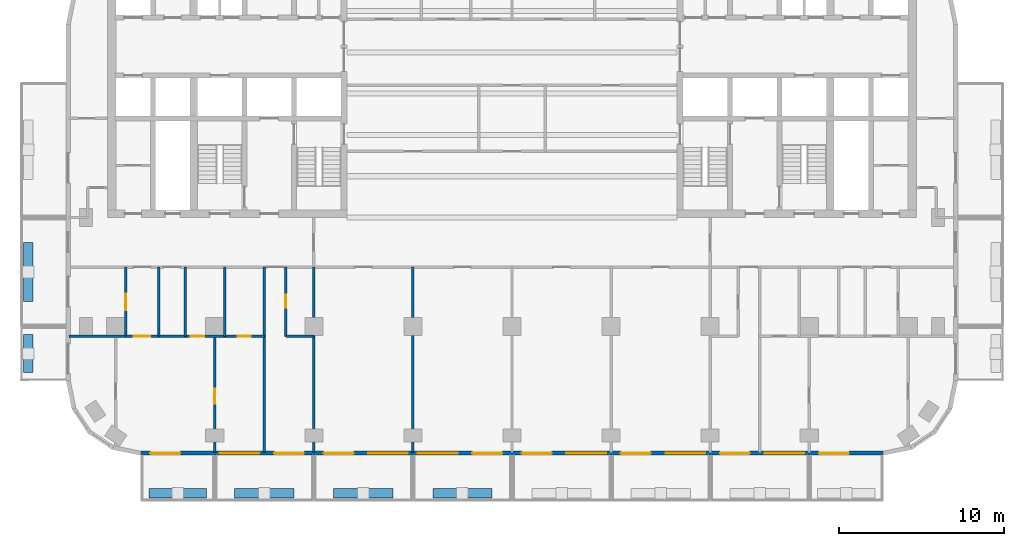
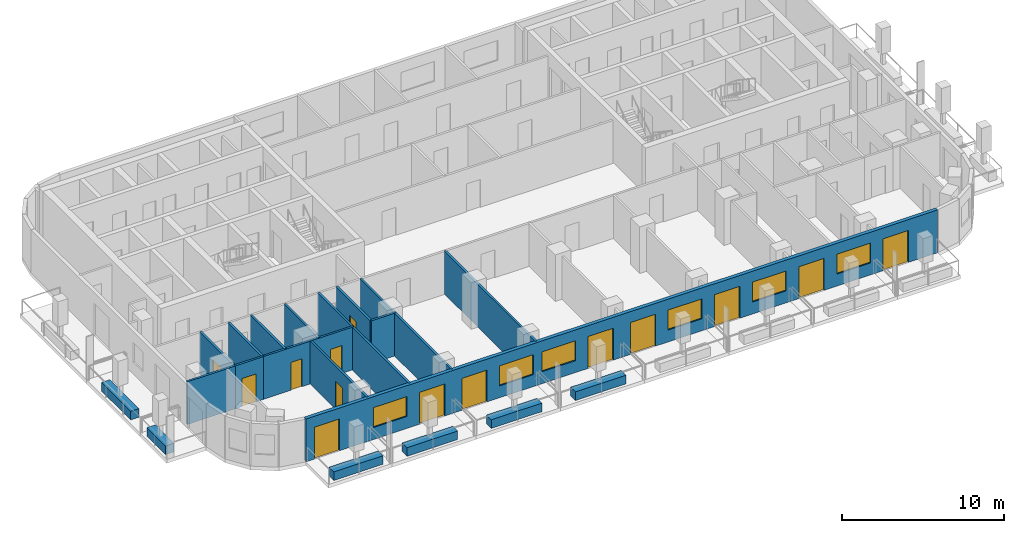
# One storey, part 2 of 12: 20 walls, 14 doors, 6 windows, 20 openings.
"""IFC4 building model written with IfcOpenShell, lengths in metres."""

from ifc_helpers import new_model, si_unit, direction, frame, frame_2d, origin, place, context, subcontext, project, spatial, rectangle, extrude, material, layer, layer_set, type_object, element, fill, save


model = new_model("IFC4")

# Units and contexts
model_context = context("Model", 3, precision=1e-05, world=origin(), true_north=direction((0.0, 1.0)))
body_context = subcontext(model_context, "Body", "Model", "MODEL_VIEW")
ifc_project = project(units=[si_unit("LENGTHUNIT", "METRE"), si_unit("AREAUNIT", "SQUARE_METRE"), si_unit("VOLUMEUNIT", "CUBIC_METRE"), si_unit("PLANEANGLEUNIT", "RADIAN"), si_unit("MASSUNIT", "GRAM", prefix="KILO")], contexts=[model_context])

# Site, building, storey
site_placement = place(None, origin())
site = spatial("IfcSite", under=ifc_project, at=site_placement, CompositionType="ELEMENT")
building_placement = place(site_placement, origin())
building = spatial("IfcBuilding", under=site, at=building_placement, Name="Torana Hotel and Residences", CompositionType="ELEMENT")
storey_placement = place(building_placement, frame((0.0, 0.0, 201.10009765625)))
storey = spatial("IfcBuildingStorey", under=building, at=storey_placement, Name="L52", CompositionType="ELEMENT", Elevation=201.10009765625)

# Wall, openings, doors, windows
ifc_material_1 = material(Name="Black aluminium composite panel", Category="aluminium")
ifc_layer_1 = layer(ifc_material_1, 0.00390625, Name="Cladding", Category="cladding")
ifc_material_2 = material(Name="Ventilated air cavity")
ifc_layer_2 = layer(ifc_material_2, 0.0400390625, Name="Ventilated cavity", Category="cavity")
ifc_material_3 = material(Name="Mineral wool insulation")
ifc_layer_3 = layer(ifc_material_3, 0.090087890625, Name="Insulation", Category="insulation")
ifc_material_4 = material(Name="Steel S280GD", Category="steel")
ifc_layer_4 = layer(ifc_material_4, 0.092041015625, Name="Steel stud frame", Category="structure")
ifc_material_5 = material(Name="Fire rated plasterboard")
ifc_layer_5 = layer(ifc_material_5, 0.011962890625, Name="Inner board", Category="finish")
ifc_layer_6 = layer(ifc_material_5, 0.011962890625, Name="Second board", Category="finish")
ifc_layer_set_1 = layer_set([ifc_layer_1, ifc_layer_2, ifc_layer_3, ifc_layer_4, ifc_layer_5, ifc_layer_6], Name="EW1 EXTERNAL WALL BLACK METAL CLAD 250")
wall_type_1 = type_object("IfcWallType", Name="EW1 EXTERNAL WALL BLACK METAL CLAD 250", PredefinedType="SOLIDWALL", material=ifc_layer_set_1)
wall_1_placement = place(storey_placement, frame((-22.475341796875, -29.27490234375, 0.0), z_axis=(0.0, 0.0, 1.0), x_axis=(1.0, 0.0, 0.0)))
wall_1 = element("IfcWall", 1, at=wall_1_placement, inside=storey, type_object=wall_type_1, Name="External wall L52 e0.14", PredefinedType="SOLIDWALL", context=body_context, shape_type="SweptSolid", body=[
    extrude(rectangle(XDim=44.95068359375, YDim=0.25, at=frame_2d((22.475341796875, 0.0))), origin(), (0.0, 0.0, 1.0), 3.219970703125),
])
opening_1_placement = place(wall_1_placement, frame((0.575439453125, 0.0, 0.0)))
opening_1 = element("IfcOpeningElement", 2, at=opening_1_placement, cuts=wall_1, Name="Opening L52-E01", PredefinedType="OPENING", context=body_context, shape_type="SweptSolid", body=[
    extrude(rectangle(XDim=1.800048828125, YDim=2.39990234375, at=frame_2d((0.89990234375, 1.199951171875))), frame((0.0, 0.135009765625, 0.0), z_axis=(0.0, -1.0, 0.0), x_axis=(1.0, 0.0, 0.0)), (0.0, 0.0, 1.0), 0.27001953125),
])
opening_2_placement = place(wall_1_placement, frame((4.775390625, 0.0, 0.89990234375)))
opening_2 = element("IfcOpeningElement", 3, at=opening_2_placement, cuts=wall_1, Name="Opening W3", PredefinedType="OPENING", context=body_context, shape_type="SweptSolid", body=[
    extrude(rectangle(XDim=2.39990234375, YDim=1.5, at=frame_2d((1.199951171875, 0.75))), frame((0.0, 0.135009765625, 0.0), z_axis=(0.0, -1.0, 0.0), x_axis=(1.0, 0.0, 0.0)), (0.0, 0.0, 1.0), 0.27001953125),
])
opening_3_placement = place(wall_1_placement, frame((8.075439453125, 0.0, 0.0)))
opening_3 = element("IfcOpeningElement", 4, at=opening_3_placement, cuts=wall_1, Name="Opening L52-E02", PredefinedType="OPENING", context=body_context, shape_type="SweptSolid", body=[
    extrude(rectangle(XDim=1.800048828125, YDim=2.39990234375, at=frame_2d((0.89990234375, 1.199951171875))), frame((0.0, 0.135009765625, 0.0), z_axis=(0.0, -1.0, 0.0), x_axis=(1.0, 0.0, 0.0)), (0.0, 0.0, 1.0), 0.27001953125),
])
opening_4_placement = place(wall_1_placement, frame((11.075439453125, 0.0, 0.0)))
opening_4 = element("IfcOpeningElement", 5, at=opening_4_placement, cuts=wall_1, Name="Opening L52-E03", PredefinedType="OPENING", context=body_context, shape_type="SweptSolid", body=[
    extrude(rectangle(XDim=1.800048828125, YDim=2.39990234375, at=frame_2d((0.89990234375, 1.199951171875))), frame((0.0, 0.135009765625, 0.0), z_axis=(0.0, -1.0, 0.0), x_axis=(1.0, 0.0, 0.0)), (0.0, 0.0, 1.0), 0.27001953125),
])
opening_5_placement = place(wall_1_placement, frame((13.775390625, 0.0, 0.89990234375)))
opening_5 = element("IfcOpeningElement", 6, at=opening_5_placement, cuts=wall_1, Name="Opening W3", PredefinedType="OPENING", context=body_context, shape_type="SweptSolid", body=[
    extrude(rectangle(XDim=2.39990234375, YDim=1.5, at=frame_2d((1.199951171875, 0.75))), frame((0.0, 0.135009765625, 0.0), z_axis=(0.0, -1.0, 0.0), x_axis=(1.0, 0.0, 0.0)), (0.0, 0.0, 1.0), 0.27001953125),
])
opening_6_placement = place(wall_1_placement, frame((16.775390625, 0.0, 0.89990234375)))
opening_6 = element("IfcOpeningElement", 7, at=opening_6_placement, cuts=wall_1, Name="Opening W3", PredefinedType="OPENING", context=body_context, shape_type="SweptSolid", body=[
    extrude(rectangle(XDim=2.39990234375, YDim=1.5, at=frame_2d((1.199951171875, 0.75))), frame((0.0, 0.135009765625, 0.0), z_axis=(0.0, -1.0, 0.0), x_axis=(1.0, 0.0, 0.0)), (0.0, 0.0, 1.0), 0.27001953125),
])
opening_7_placement = place(wall_1_placement, frame((20.075439453125, 0.0, 0.0)))
opening_7 = element("IfcOpeningElement", 8, at=opening_7_placement, cuts=wall_1, Name="Opening L52-E04", PredefinedType="OPENING", context=body_context, shape_type="SweptSolid", body=[
    extrude(rectangle(XDim=1.800048828125, YDim=2.39990234375, at=frame_2d((0.89990234375, 1.199951171875))), frame((0.0, 0.135009765625, 0.0), z_axis=(0.0, -1.0, 0.0), x_axis=(1.0, 0.0, 0.0)), (0.0, 0.0, 1.0), 0.27001953125),
])
opening_8_placement = place(wall_1_placement, frame((23.075439453125, 0.0, 0.0)))
opening_8 = element("IfcOpeningElement", 9, at=opening_8_placement, cuts=wall_1, Name="Opening L52-E05", PredefinedType="OPENING", context=body_context, shape_type="SweptSolid", body=[
    extrude(rectangle(XDim=1.800048828125, YDim=2.39990234375, at=frame_2d((0.89990234375, 1.199951171875))), frame((0.0, 0.135009765625, 0.0), z_axis=(0.0, -1.0, 0.0), x_axis=(1.0, 0.0, 0.0)), (0.0, 0.0, 1.0), 0.27001953125),
])
opening_9_placement = place(wall_1_placement, frame((25.775390625, 0.0, 0.89990234375)))
opening_9 = element("IfcOpeningElement", 10, at=opening_9_placement, cuts=wall_1, Name="Opening W3", PredefinedType="OPENING", context=body_context, shape_type="SweptSolid", body=[
    extrude(rectangle(XDim=2.39990234375, YDim=1.5, at=frame_2d((1.199951171875, 0.75))), frame((0.0, 0.135009765625, 0.0), z_axis=(0.0, -1.0, 0.0), x_axis=(1.0, 0.0, 0.0)), (0.0, 0.0, 1.0), 0.27001953125),
])
opening_10_placement = place(wall_1_placement, frame((29.075439453125, 0.0, 0.0)))
opening_10 = element("IfcOpeningElement", 11, at=opening_10_placement, cuts=wall_1, Name="Opening L52-E06", PredefinedType="OPENING", context=body_context, shape_type="SweptSolid", body=[
    extrude(rectangle(XDim=1.800048828125, YDim=2.39990234375, at=frame_2d((0.89990234375, 1.199951171875))), frame((0.0, 0.135009765625, 0.0), z_axis=(0.0, -1.0, 0.0), x_axis=(1.0, 0.0, 0.0)), (0.0, 0.0, 1.0), 0.27001953125),
])
opening_11_placement = place(wall_1_placement, frame((31.775390625, 0.0, 0.89990234375)))
opening_11 = element("IfcOpeningElement", 12, at=opening_11_placement, cuts=wall_1, Name="Opening W3", PredefinedType="OPENING", context=body_context, shape_type="SweptSolid", body=[
    extrude(rectangle(XDim=2.39990234375, YDim=1.5, at=frame_2d((1.199951171875, 0.75))), frame((0.0, 0.135009765625, 0.0), z_axis=(0.0, -1.0, 0.0), x_axis=(1.0, 0.0, 0.0)), (0.0, 0.0, 1.0), 0.27001953125),
])
opening_12_placement = place(wall_1_placement, frame((35.075439453125, 0.0, 0.0)))
opening_12 = element("IfcOpeningElement", 13, at=opening_12_placement, cuts=wall_1, Name="Opening L52-E07", PredefinedType="OPENING", context=body_context, shape_type="SweptSolid", body=[
    extrude(rectangle(XDim=1.800048828125, YDim=2.39990234375, at=frame_2d((0.89990234375, 1.199951171875))), frame((0.0, 0.135009765625, 0.0), z_axis=(0.0, -1.0, 0.0), x_axis=(1.0, 0.0, 0.0)), (0.0, 0.0, 1.0), 0.27001953125),
])
opening_13_placement = place(wall_1_placement, frame((37.775390625, 0.0, 0.89990234375)))
opening_13 = element("IfcOpeningElement", 14, at=opening_13_placement, cuts=wall_1, Name="Opening W3", PredefinedType="OPENING", context=body_context, shape_type="SweptSolid", body=[
    extrude(rectangle(XDim=2.39990234375, YDim=1.5, at=frame_2d((1.199951171875, 0.75))), frame((0.0, 0.135009765625, 0.0), z_axis=(0.0, -1.0, 0.0), x_axis=(1.0, 0.0, 0.0)), (0.0, 0.0, 1.0), 0.27001953125),
])
opening_14_placement = place(wall_1_placement, frame((41.075439453125, 0.0, 0.0)))
opening_14 = element("IfcOpeningElement", 15, at=opening_14_placement, cuts=wall_1, Name="Opening L52-E08", PredefinedType="OPENING", context=body_context, shape_type="SweptSolid", body=[
    extrude(rectangle(XDim=1.800048828125, YDim=2.39990234375, at=frame_2d((0.89990234375, 1.199951171875))), frame((0.0, 0.135009765625, 0.0), z_axis=(0.0, -1.0, 0.0), x_axis=(1.0, 0.0, 0.0)), (0.0, 0.0, 1.0), 0.27001953125),
])
ifc_material_6 = material(Name="Dark glass in black aluminium frame", Category="aluminium")
door_type_1 = type_object("IfcDoorType", Name="DB1 BALCONY DOOR 1800x2400", OperationType="DOUBLE_DOOR_SINGLE_SWING", PredefinedType="DOOR", material=ifc_material_6)
door_1_placement = place(opening_1_placement, origin())
door_1 = element("IfcDoor", 16, at=door_1_placement, inside=storey, type_object=door_type_1, Name="Balcony door L52", OperationType="DOUBLE_DOOR_SINGLE_SWING", OverallHeight=2.39990234375, OverallWidth=1.800048828125, PredefinedType="DOOR", context=body_context, shape_type="SweptSolid", body=[
    extrude(rectangle(XDim=1.800048828125, YDim=2.39990234375, at=frame_2d((0.89990234375, 1.199951171875))), frame((0.0, 0.02490234375, 0.0), z_axis=(0.0, -1.0, 0.0), x_axis=(1.0, 0.0, 0.0)), (0.0, 0.0, 1.0), 0.050048828125),
])
fill(opening_1, door_1)
door_2_placement = place(opening_3_placement, origin())
door_2 = element("IfcDoor", 17, at=door_2_placement, inside=storey, type_object=door_type_1, Name="Balcony door L52", OperationType="DOUBLE_DOOR_SINGLE_SWING", OverallHeight=2.39990234375, OverallWidth=1.800048828125, PredefinedType="DOOR", context=body_context, shape_type="SweptSolid", body=[
    extrude(rectangle(XDim=1.800048828125, YDim=2.39990234375, at=frame_2d((0.89990234375, 1.199951171875))), frame((0.0, 0.02490234375, 0.0), z_axis=(0.0, -1.0, 0.0), x_axis=(1.0, 0.0, 0.0)), (0.0, 0.0, 1.0), 0.050048828125),
])
fill(opening_3, door_2)
door_3_placement = place(opening_4_placement, origin())
door_3 = element("IfcDoor", 18, at=door_3_placement, inside=storey, type_object=door_type_1, Name="Balcony door L52", OperationType="DOUBLE_DOOR_SINGLE_SWING", OverallHeight=2.39990234375, OverallWidth=1.800048828125, PredefinedType="DOOR", context=body_context, shape_type="SweptSolid", body=[
    extrude(rectangle(XDim=1.800048828125, YDim=2.39990234375, at=frame_2d((0.89990234375, 1.199951171875))), frame((0.0, 0.02490234375, 0.0), z_axis=(0.0, -1.0, 0.0), x_axis=(1.0, 0.0, 0.0)), (0.0, 0.0, 1.0), 0.050048828125),
])
fill(opening_4, door_3)
door_4_placement = place(opening_7_placement, origin())
door_4 = element("IfcDoor", 19, at=door_4_placement, inside=storey, type_object=door_type_1, Name="Balcony door L52", OperationType="DOUBLE_DOOR_SINGLE_SWING", OverallHeight=2.39990234375, OverallWidth=1.800048828125, PredefinedType="DOOR", context=body_context, shape_type="SweptSolid", body=[
    extrude(rectangle(XDim=1.800048828125, YDim=2.39990234375, at=frame_2d((0.89990234375, 1.199951171875))), frame((0.0, 0.02490234375, 0.0), z_axis=(0.0, -1.0, 0.0), x_axis=(1.0, 0.0, 0.0)), (0.0, 0.0, 1.0), 0.050048828125),
])
fill(opening_7, door_4)
door_5_placement = place(opening_8_placement, origin())
door_5 = element("IfcDoor", 20, at=door_5_placement, inside=storey, type_object=door_type_1, Name="Balcony door L52", OperationType="DOUBLE_DOOR_SINGLE_SWING", OverallHeight=2.39990234375, OverallWidth=1.800048828125, PredefinedType="DOOR", context=body_context, shape_type="SweptSolid", body=[
    extrude(rectangle(XDim=1.800048828125, YDim=2.39990234375, at=frame_2d((0.89990234375, 1.199951171875))), frame((0.0, 0.02490234375, 0.0), z_axis=(0.0, -1.0, 0.0), x_axis=(1.0, 0.0, 0.0)), (0.0, 0.0, 1.0), 0.050048828125),
])
fill(opening_8, door_5)
door_6_placement = place(opening_10_placement, origin())
door_6 = element("IfcDoor", 21, at=door_6_placement, inside=storey, type_object=door_type_1, Name="Balcony door L52", OperationType="DOUBLE_DOOR_SINGLE_SWING", OverallHeight=2.39990234375, OverallWidth=1.800048828125, PredefinedType="DOOR", context=body_context, shape_type="SweptSolid", body=[
    extrude(rectangle(XDim=1.800048828125, YDim=2.39990234375, at=frame_2d((0.89990234375, 1.199951171875))), frame((0.0, 0.02490234375, 0.0), z_axis=(0.0, -1.0, 0.0), x_axis=(1.0, 0.0, 0.0)), (0.0, 0.0, 1.0), 0.050048828125),
])
fill(opening_10, door_6)
door_7_placement = place(opening_12_placement, origin())
door_7 = element("IfcDoor", 22, at=door_7_placement, inside=storey, type_object=door_type_1, Name="Balcony door L52", OperationType="DOUBLE_DOOR_SINGLE_SWING", OverallHeight=2.39990234375, OverallWidth=1.800048828125, PredefinedType="DOOR", context=body_context, shape_type="SweptSolid", body=[
    extrude(rectangle(XDim=1.800048828125, YDim=2.39990234375, at=frame_2d((0.89990234375, 1.199951171875))), frame((0.0, 0.02490234375, 0.0), z_axis=(0.0, -1.0, 0.0), x_axis=(1.0, 0.0, 0.0)), (0.0, 0.0, 1.0), 0.050048828125),
])
fill(opening_12, door_7)
door_8_placement = place(opening_14_placement, origin())
door_8 = element("IfcDoor", 23, at=door_8_placement, inside=storey, type_object=door_type_1, Name="Balcony door L52", OperationType="DOUBLE_DOOR_SINGLE_SWING", OverallHeight=2.39990234375, OverallWidth=1.800048828125, PredefinedType="DOOR", context=body_context, shape_type="SweptSolid", body=[
    extrude(rectangle(XDim=1.800048828125, YDim=2.39990234375, at=frame_2d((0.89990234375, 1.199951171875))), frame((0.0, 0.02490234375, 0.0), z_axis=(0.0, -1.0, 0.0), x_axis=(1.0, 0.0, 0.0)), (0.0, 0.0, 1.0), 0.050048828125),
])
fill(opening_14, door_8)
ifc_material_7 = material(Name="Dark glass in black aluminium frame", Category="aluminium")
window_type = type_object("IfcWindowType", Name="W3 RESIDENCE WINDOW 2400x1500", PartitioningType="SINGLE_PANEL", PredefinedType="WINDOW", material=ifc_material_7)
window_1_placement = place(opening_2_placement, origin())
window_1 = element("IfcWindow", 24, at=window_1_placement, inside=storey, type_object=window_type, Name="Window L52", OverallHeight=1.5, OverallWidth=2.39990234375, PartitioningType="SINGLE_PANEL", PredefinedType="WINDOW", context=body_context, shape_type="SweptSolid", body=[
    extrude(rectangle(XDim=2.39990234375, YDim=1.5, at=frame_2d((1.199951171875, 0.75))), frame((0.0, 0.030029296875, 0.0), z_axis=(0.0, -1.0, 0.0), x_axis=(1.0, 0.0, 0.0)), (0.0, 0.0, 1.0), 0.06005859375),
])
fill(opening_2, window_1)
window_2_placement = place(opening_5_placement, origin())
window_2 = element("IfcWindow", 25, at=window_2_placement, inside=storey, type_object=window_type, Name="Window L52", OverallHeight=1.5, OverallWidth=2.39990234375, PartitioningType="SINGLE_PANEL", PredefinedType="WINDOW", context=body_context, shape_type="SweptSolid", body=[
    extrude(rectangle(XDim=2.39990234375, YDim=1.5, at=frame_2d((1.199951171875, 0.75))), frame((0.0, 0.030029296875, 0.0), z_axis=(0.0, -1.0, 0.0), x_axis=(1.0, 0.0, 0.0)), (0.0, 0.0, 1.0), 0.06005859375),
])
fill(opening_5, window_2)
window_3_placement = place(opening_6_placement, origin())
window_3 = element("IfcWindow", 26, at=window_3_placement, inside=storey, type_object=window_type, Name="Window L52", OverallHeight=1.5, OverallWidth=2.39990234375, PartitioningType="SINGLE_PANEL", PredefinedType="WINDOW", context=body_context, shape_type="SweptSolid", body=[
    extrude(rectangle(XDim=2.39990234375, YDim=1.5, at=frame_2d((1.199951171875, 0.75))), frame((0.0, 0.030029296875, 0.0), z_axis=(0.0, -1.0, 0.0), x_axis=(1.0, 0.0, 0.0)), (0.0, 0.0, 1.0), 0.06005859375),
])
fill(opening_6, window_3)
window_4_placement = place(opening_9_placement, origin())
window_4 = element("IfcWindow", 27, at=window_4_placement, inside=storey, type_object=window_type, Name="Window L52", OverallHeight=1.5, OverallWidth=2.39990234375, PartitioningType="SINGLE_PANEL", PredefinedType="WINDOW", context=body_context, shape_type="SweptSolid", body=[
    extrude(rectangle(XDim=2.39990234375, YDim=1.5, at=frame_2d((1.199951171875, 0.75))), frame((0.0, 0.030029296875, 0.0), z_axis=(0.0, -1.0, 0.0), x_axis=(1.0, 0.0, 0.0)), (0.0, 0.0, 1.0), 0.06005859375),
])
fill(opening_9, window_4)
window_5_placement = place(opening_11_placement, origin())
window_5 = element("IfcWindow", 28, at=window_5_placement, inside=storey, type_object=window_type, Name="Window L52", OverallHeight=1.5, OverallWidth=2.39990234375, PartitioningType="SINGLE_PANEL", PredefinedType="WINDOW", context=body_context, shape_type="SweptSolid", body=[
    extrude(rectangle(XDim=2.39990234375, YDim=1.5, at=frame_2d((1.199951171875, 0.75))), frame((0.0, 0.030029296875, 0.0), z_axis=(0.0, -1.0, 0.0), x_axis=(1.0, 0.0, 0.0)), (0.0, 0.0, 1.0), 0.06005859375),
])
fill(opening_11, window_5)
window_6_placement = place(opening_13_placement, origin())
window_6 = element("IfcWindow", 29, at=window_6_placement, inside=storey, type_object=window_type, Name="Window L52", OverallHeight=1.5, OverallWidth=2.39990234375, PartitioningType="SINGLE_PANEL", PredefinedType="WINDOW", context=body_context, shape_type="SweptSolid", body=[
    extrude(rectangle(XDim=2.39990234375, YDim=1.5, at=frame_2d((1.199951171875, 0.75))), frame((0.0, 0.030029296875, 0.0), z_axis=(0.0, -1.0, 0.0), x_axis=(1.0, 0.0, 0.0)), (0.0, 0.0, 1.0), 0.06005859375),
])
fill(opening_13, window_6)

# Wall
ifc_material_8 = material(Name="Gypsum plaster")
ifc_layer_7 = layer(ifc_material_8, 0.014892578125, Name="Plaster", Category="finish")
ifc_material_9 = material(Name="Concrete blockwork", Category="masonry")
ifc_layer_8 = layer(ifc_material_9, 0.1201171875, Name="Blockwork", Category="structure")
ifc_layer_9 = layer(ifc_material_8, 0.014892578125, Name="Plaster", Category="finish")
ifc_layer_set_2 = layer_set([ifc_layer_7, ifc_layer_8, ifc_layer_9], Name="FIRE PARTITION 150 BLOCKWORK")
wall_type_2 = type_object("IfcWallType", Name="FIRE PARTITION 150 BLOCKWORK", PredefinedType="PARTITIONING", material=ifc_layer_set_2)
wall_2_placement = place(storey_placement, frame((-21.39990234375, -22.199951171875, 0.0), z_axis=(0.0, 0.0, 1.0), x_axis=(0.0, 1.0, 0.0)))
element("IfcWall", 30, at=wall_2_placement, inside=storey, type_object=wall_type_2, Name="Partition L52", PredefinedType="PARTITIONING", context=body_context, shape_type="SweptSolid", body=[
    extrude(rectangle(XDim=4.199951171875, YDim=0.14990234375, at=frame_2d((2.10009765625, 0.0))), origin(), (0.0, 0.0, 1.0), 3.219970703125),
])

# Wall, opening, door
wall_3_placement = place(storey_placement, frame((-23.39990234375, -22.199951171875, 0.0), z_axis=(0.0, 0.0, 1.0), x_axis=(0.0, 1.0, 0.0)))
wall_3 = element("IfcWall", 31, at=wall_3_placement, inside=storey, type_object=wall_type_2, Name="Partition L52", PredefinedType="PARTITIONING", context=body_context, shape_type="SweptSolid", body=[
    extrude(rectangle(XDim=4.199951171875, YDim=0.14990234375, at=frame_2d((2.10009765625, 0.0))), origin(), (0.0, 0.0, 1.0), 3.219970703125),
])
opening_15_placement = place(wall_3_placement, frame((1.580078125, 0.0, 0.0)))
opening_15 = element("IfcOpeningElement", 32, at=opening_15_placement, cuts=wall_3, Name="Opening L52-60", PredefinedType="OPENING", context=body_context, shape_type="SweptSolid", body=[
    extrude(rectangle(XDim=1.0, YDim=2.10009765625, at=frame_2d((0.5, 1.050048828125))), frame((0.0, 0.0849609375, 0.0), z_axis=(0.0, -1.0, 0.0), x_axis=(1.0, 0.0, 0.0)), (0.0, 0.0, 1.0), 0.169921875),
])
ifc_material_10 = material(Name="Steel S235", Category="steel")
door_type_2 = type_object("IfcDoorType", Name="ENTRY FIRE DOOR D6 1000x2100", OperationType="SINGLE_SWING_LEFT", PredefinedType="DOOR", material=ifc_material_10)
door_9_placement = place(opening_15_placement, origin())
door_9 = element("IfcDoor", 33, at=door_9_placement, inside=storey, type_object=door_type_2, Name="Door L52", OperationType="SINGLE_SWING_RIGHT", OverallHeight=2.10009765625, OverallWidth=1.0, PredefinedType="DOOR", context=body_context, shape_type="SweptSolid", body=[
    extrude(rectangle(XDim=1.0, YDim=2.10009765625, at=frame_2d((0.5, 1.050048828125))), frame((0.0, 0.02490234375, 0.0), z_axis=(0.0, -1.0, 0.0), x_axis=(1.0, 0.0, 0.0)), (0.0, 0.0, 1.0), 0.050048828125),
])
fill(opening_15, door_9)

wall_4_placement = place(storey_placement, frame((-23.39990234375, -22.199951171875, 0.0), z_axis=(0.0, 0.0, 1.0), x_axis=(1.0, 0.0, 0.0)))
wall_4 = element("IfcWall", 34, at=wall_4_placement, inside=storey, type_object=wall_type_2, Name="Partition L52", PredefinedType="PARTITIONING", context=body_context, shape_type="SweptSolid", body=[
    extrude(rectangle(XDim=2.0, YDim=0.14990234375, at=frame_2d((1.0, 0.0))), origin(), (0.0, 0.0, 1.0), 3.219970703125),
])
opening_16_placement = place(wall_4_placement, frame((0.47998046875, 0.0, 0.0)))
opening_16 = element("IfcOpeningElement", 35, at=opening_16_placement, cuts=wall_4, Name="Opening L52-61", PredefinedType="OPENING", context=body_context, shape_type="SweptSolid", body=[
    extrude(rectangle(XDim=1.0, YDim=2.10009765625, at=frame_2d((0.5, 1.050048828125))), frame((0.0, 0.0849609375, 0.0), z_axis=(0.0, -1.0, 0.0), x_axis=(1.0, 0.0, 0.0)), (0.0, 0.0, 1.0), 0.169921875),
])
door_10_placement = place(opening_16_placement, frame((0.5, 0.0, 0.0), z_axis=(0.0, 0.0, 1.0), x_axis=(-1.0, 0.0, 0.0)))
door_10 = element("IfcDoor", 36, at=door_10_placement, inside=storey, type_object=door_type_2, Name="Door L52", OperationType="SINGLE_SWING_LEFT", OverallHeight=2.10009765625, OverallWidth=1.0, PredefinedType="DOOR", context=body_context, shape_type="SweptSolid", body=[
    extrude(rectangle(XDim=1.0, YDim=2.10009765625, at=frame_2d((0.0, 1.050048828125))), frame((0.0, -0.02490234375, 0.0), z_axis=(0.0, 1.0, 0.0), x_axis=(-1.0, 0.0, 0.0)), (0.0, 0.0, 1.0), 0.050048828125),
])
fill(opening_16, door_10)

# Walls
ifc_material_11 = material(Name="Gypsum plasterboard")
ifc_layer_10 = layer(ifc_material_11, 0.012451171875, Name="Plasterboard", Category="finish")
ifc_layer_11 = layer(ifc_material_11, 0.012451171875, Name="Plasterboard", Category="finish")
ifc_layer_12 = layer(ifc_material_4, 0.10009765625, Name="Steel studs with mineral wool", Category="insulation")
ifc_layer_13 = layer(ifc_material_11, 0.012451171875, Name="Plasterboard", Category="finish")
ifc_layer_14 = layer(ifc_material_11, 0.012451171875, Name="Plasterboard", Category="finish")
ifc_layer_set_3 = layer_set([ifc_layer_10, ifc_layer_11, ifc_layer_12, ifc_layer_13, ifc_layer_14], Name="PARTITION 150 PLASTERBOARD")
wall_type_3 = type_object("IfcWallType", Name="PARTITION 150 PLASTERBOARD", PredefinedType="PARTITIONING", material=ifc_layer_set_3)
for number, where, z_axis, x_axis, name in (
    (37, (-6.0, -29.219970703125, 0.0), (0.0, 0.0, 1.0), (0.0, 1.0, 0.0), "Partition L52"),
    (38, (-12.0, -29.219970703125, 0.0), (0.0, 0.0, 1.0), (0.0, 1.0, 0.0), "Partition L52"),
):
    element("IfcWall", number, at=place(storey_placement, frame(where, z_axis=z_axis, x_axis=x_axis)), inside=storey, type_object=wall_type_3, Name=name, PredefinedType="PARTITIONING", context=body_context, shape_type="SweptSolid", body=[
        extrude(rectangle(XDim=11.219970703125, YDim=0.14990234375, at=frame_2d((5.60986328125, 0.0))), origin(), (0.0, 0.0, 1.0), 3.219970703125),
    ])

# Wall, opening, door
wall_5_placement = place(storey_placement, frame((-13.699951171875, -22.199951171875, 0.0), z_axis=(0.0, 0.0, 1.0), x_axis=(0.0, 1.0, 0.0)))
wall_5 = element("IfcWall", 39, at=wall_5_placement, inside=storey, type_object=wall_type_3, Name="Partition L52", PredefinedType="PARTITIONING", context=body_context, shape_type="SweptSolid", body=[
    extrude(rectangle(XDim=4.199951171875, YDim=0.14990234375, at=frame_2d((2.10009765625, 0.0))), origin(), (0.0, 0.0, 1.0), 3.219970703125),
])
opening_17_placement = place(wall_5_placement, frame((1.719970703125, 0.0, 0.0)))
opening_17 = element("IfcOpeningElement", 40, at=opening_17_placement, cuts=wall_5, Name="Opening L52-56", PredefinedType="OPENING", context=body_context, shape_type="SweptSolid", body=[
    extrude(rectangle(XDim=0.800048828125, YDim=2.10009765625, at=frame_2d((0.39990234375, 1.050048828125))), frame((0.0, 0.0849609375, 0.0), z_axis=(0.0, -1.0, 0.0), x_axis=(1.0, 0.0, 0.0)), (0.0, 0.0, 1.0), 0.169921875),
])
ifc_material_12 = material(Name="Timber door, painted", Category="wood")
door_type_3 = type_object("IfcDoorType", Name="BATH DOOR D13 800x2100", OperationType="SINGLE_SWING_LEFT", PredefinedType="DOOR", material=ifc_material_12)
door_11_placement = place(opening_17_placement, origin())
door_11 = element("IfcDoor", 41, at=door_11_placement, inside=storey, type_object=door_type_3, Name="Door L52", OperationType="SINGLE_SWING_RIGHT", OverallHeight=2.10009765625, OverallWidth=0.800048828125, PredefinedType="DOOR", context=body_context, shape_type="SweptSolid", body=[
    extrude(rectangle(XDim=0.800048828125, YDim=2.10009765625, at=frame_2d((0.39990234375, 1.050048828125))), frame((0.0, 0.02490234375, 0.0), z_axis=(0.0, -1.0, 0.0), x_axis=(1.0, 0.0, 0.0)), (0.0, 0.0, 1.0), 0.050048828125),
])
fill(opening_17, door_11)

# Walls
wall_6_placement = place(storey_placement, frame((-15.0, -29.219970703125, 0.0), z_axis=(0.0, 0.0, 1.0), x_axis=(0.0, 1.0, 0.0)))
element("IfcWall", 42, at=wall_6_placement, inside=storey, type_object=wall_type_3, Name="Partition L52", PredefinedType="PARTITIONING", context=body_context, shape_type="SweptSolid", body=[
    extrude(rectangle(XDim=11.219970703125, YDim=0.14990234375, at=frame_2d((5.60986328125, 0.0))), origin(), (0.0, 0.0, 1.0), 3.219970703125),
])
wall_7_placement = place(storey_placement, frame((-17.39990234375, -22.199951171875, 0.0), z_axis=(0.0, 0.0, 1.0), x_axis=(0.0, 1.0, 0.0)))
element("IfcWall", 43, at=wall_7_placement, inside=storey, type_object=wall_type_3, Name="Partition L52", PredefinedType="PARTITIONING", context=body_context, shape_type="SweptSolid", body=[
    extrude(rectangle(XDim=4.199951171875, YDim=0.14990234375, at=frame_2d((2.10009765625, 0.0))), origin(), (0.0, 0.0, 1.0), 3.219970703125),
])

# Wall, opening, door
wall_8_placement = place(storey_placement, frame((-18.0, -29.219970703125, 0.0), z_axis=(0.0, 0.0, 1.0), x_axis=(0.0, 1.0, 0.0)))
wall_8 = element("IfcWall", 44, at=wall_8_placement, inside=storey, type_object=wall_type_3, Name="Partition L52", PredefinedType="PARTITIONING", context=body_context, shape_type="SweptSolid", body=[
    extrude(rectangle(XDim=7.02001953125, YDim=0.14990234375, at=frame_2d((3.510009765625, 0.0))), origin(), (0.0, 0.0, 1.0), 3.219970703125),
])
opening_18_placement = place(wall_8_placement, frame((2.949951171875, 0.0, 0.0)))
opening_18 = element("IfcOpeningElement", 45, at=opening_18_placement, cuts=wall_8, Name="Opening L52-62", PredefinedType="OPENING", context=body_context, shape_type="SweptSolid", body=[
    extrude(rectangle(XDim=0.89990234375, YDim=2.10009765625, at=frame_2d((0.449951171875, 1.050048828125))), frame((0.0, 0.0849609375, 0.0), z_axis=(0.0, -1.0, 0.0), x_axis=(1.0, 0.0, 0.0)), (0.0, 0.0, 1.0), 0.169921875),
])
ifc_material_13 = material(Name="Timber door, oiled ash", Category="wood")
door_type_4 = type_object("IfcDoorType", Name="ROOM DOOR D7 900x2100", OperationType="SINGLE_SWING_LEFT", PredefinedType="DOOR", material=ifc_material_13)
door_12_placement = place(opening_18_placement, origin())
door_12 = element("IfcDoor", 46, at=door_12_placement, inside=storey, type_object=door_type_4, Name="Door L52", OperationType="SINGLE_SWING_RIGHT", OverallHeight=2.10009765625, OverallWidth=0.89990234375, PredefinedType="DOOR", context=body_context, shape_type="SweptSolid", body=[
    extrude(rectangle(XDim=0.89990234375, YDim=2.10009765625, at=frame_2d((0.449951171875, 1.050048828125))), frame((0.0, 0.02490234375, 0.0), z_axis=(0.0, -1.0, 0.0), x_axis=(1.0, 0.0, 0.0)), (0.0, 0.0, 1.0), 0.050048828125),
])
fill(opening_18, door_12)

# Walls
wall_9_placement = place(storey_placement, frame((-19.800048828125, -22.199951171875, 0.0), z_axis=(0.0, 0.0, 1.0), x_axis=(0.0, 1.0, 0.0)))
element("IfcWall", 47, at=wall_9_placement, inside=storey, type_object=wall_type_3, Name="Partition L52", PredefinedType="PARTITIONING", context=body_context, shape_type="SweptSolid", body=[
    extrude(rectangle(XDim=4.199951171875, YDim=0.14990234375, at=frame_2d((2.10009765625, 0.0))), origin(), (0.0, 0.0, 1.0), 3.219970703125),
])
wall_10_placement = place(storey_placement, frame((-26.820068359375, -22.199951171875, 0.0), z_axis=(0.0, 0.0, 1.0), x_axis=(1.0, 0.0, 0.0)))
element("IfcWall", 48, at=wall_10_placement, inside=storey, type_object=wall_type_3, Name="Partition L52", PredefinedType="PARTITIONING", context=body_context, shape_type="SweptSolid", body=[
    extrude(rectangle(XDim=3.420166015625, YDim=0.14990234375, at=frame_2d((1.7099609375, 0.0))), origin(), (0.0, 0.0, 1.0), 3.219970703125),
])

# Wall, openings, doors
wall_11_placement = place(storey_placement, frame((-21.39990234375, -22.199951171875, 0.0), z_axis=(0.0, 0.0, 1.0), x_axis=(1.0, 0.0, 0.0)))
wall_11 = element("IfcWall", 49, at=wall_11_placement, inside=storey, type_object=wall_type_3, Name="Partition L52", PredefinedType="PARTITIONING", context=body_context, shape_type="SweptSolid", body=[
    extrude(rectangle(XDim=6.39990234375, YDim=0.14990234375, at=frame_2d((3.199951171875, 0.0))), origin(), (0.0, 0.0, 1.0), 3.219970703125),
])
opening_19_placement = place(wall_11_placement, frame((4.780029296875, 0.0, 0.0)))
opening_19 = element("IfcOpeningElement", 50, at=opening_19_placement, cuts=wall_11, Name="Opening L52-58", PredefinedType="OPENING", context=body_context, shape_type="SweptSolid", body=[
    extrude(rectangle(XDim=0.800048828125, YDim=2.10009765625, at=frame_2d((0.39990234375, 1.050048828125))), frame((0.0, 0.0849609375, 0.0), z_axis=(0.0, -1.0, 0.0), x_axis=(1.0, 0.0, 0.0)), (0.0, 0.0, 1.0), 0.169921875),
])
opening_20_placement = place(wall_11_placement, frame((1.949951171875, 0.0, 0.0)))
opening_20 = element("IfcOpeningElement", 51, at=opening_20_placement, cuts=wall_11, Name="Opening L52-59", PredefinedType="OPENING", context=body_context, shape_type="SweptSolid", body=[
    extrude(rectangle(XDim=0.800048828125, YDim=2.10009765625, at=frame_2d((0.39990234375, 1.050048828125))), frame((0.0, 0.0849609375, 0.0), z_axis=(0.0, -1.0, 0.0), x_axis=(1.0, 0.0, 0.0)), (0.0, 0.0, 1.0), 0.169921875),
])
door_13_placement = place(opening_19_placement, origin())
door_13 = element("IfcDoor", 52, at=door_13_placement, inside=storey, type_object=door_type_3, Name="Door L52", OperationType="SINGLE_SWING_RIGHT", OverallHeight=2.10009765625, OverallWidth=0.800048828125, PredefinedType="DOOR", context=body_context, shape_type="SweptSolid", body=[
    extrude(rectangle(XDim=0.800048828125, YDim=2.10009765625, at=frame_2d((0.39990234375, 1.050048828125))), frame((0.0, 0.02490234375, 0.0), z_axis=(0.0, -1.0, 0.0), x_axis=(1.0, 0.0, 0.0)), (0.0, 0.0, 1.0), 0.050048828125),
])
fill(opening_19, door_13)
door_14_placement = place(opening_20_placement, origin())
door_14 = element("IfcDoor", 53, at=door_14_placement, inside=storey, type_object=door_type_3, Name="Door L52", OperationType="SINGLE_SWING_LEFT", OverallHeight=2.10009765625, OverallWidth=0.800048828125, PredefinedType="DOOR", context=body_context, shape_type="SweptSolid", body=[
    extrude(rectangle(XDim=0.800048828125, YDim=2.10009765625, at=frame_2d((0.39990234375, 1.050048828125))), frame((0.0, 0.02490234375, 0.0), z_axis=(0.0, -1.0, 0.0), x_axis=(1.0, 0.0, 0.0)), (0.0, 0.0, 1.0), 0.050048828125),
])
fill(opening_20, door_14)

# Walls
wall_12_placement = place(storey_placement, frame((-13.699951171875, -22.199951171875, 0.0), z_axis=(0.0, 0.0, 1.0), x_axis=(1.0, 0.0, 0.0)))
element("IfcWall", 54, at=wall_12_placement, inside=storey, type_object=wall_type_3, Name="Partition L52", PredefinedType="PARTITIONING", context=body_context, shape_type="SweptSolid", body=[
    extrude(rectangle(XDim=1.699951171875, YDim=0.14990234375, at=frame_2d((0.85009765625, 0.0))), origin(), (0.0, 0.0, 1.0), 3.219970703125),
])
ifc_material_14 = material(Name="Concrete C40/50 precast", Category="concrete")
ifc_layer_15 = layer(ifc_material_14, 0.10009765625, Name="Planter shell", Category="structure")
ifc_material_15 = material(Name="Root resistant membrane")
ifc_layer_16 = layer(ifc_material_15, 0.00390625, Name="Waterproofing membrane", Category="membrane")
ifc_material_16 = material(Name="Drainage board with filter fleece")
ifc_layer_17 = layer(ifc_material_16, 0.02001953125, Name="Drainage board", Category="drainage")
ifc_material_17 = material(Name="Growing medium")
ifc_layer_18 = layer(ifc_material_17, 0.47607421875, Name="Planting substrate", Category="soil")
ifc_layer_set_4 = layer_set([ifc_layer_15, ifc_layer_16, ifc_layer_17, ifc_layer_18], Name="PL1 BALCONY PLANTER 600")
wall_type_4 = type_object("IfcWallType", Name="PL1 BALCONY PLANTER 600", PredefinedType="USERDEFINED", material=ifc_layer_set_4)
wall_13_placement = place(storey_placement, frame((-18.5, -31.699951171875, 0.0), z_axis=(0.0, 0.0, 1.0), x_axis=(-1.0, 0.0, 0.0)))
element("IfcWall", 55, at=wall_13_placement, inside=storey, type_object=wall_type_4, Name="Planter 01", ObjectType="PLANTER", PredefinedType="USERDEFINED", context=body_context, shape_type="SweptSolid", body=[
    extrude(rectangle(XDim=3.5, YDim=0.60009765625, at=frame_2d((1.75, 0.0))), origin(), (0.0, 0.0, 1.0), 0.64990234375),
])
for number, where, z_axis, x_axis, name in (
    (56, (-13.199951171875, -31.699951171875, 0.0), (0.0, 0.0, 1.0), (-1.0, 0.0, 0.0), "Planter 02"),
    (57, (-7.199951171875, -31.699951171875, 0.0), (0.0, 0.0, 1.0), (-1.0, 0.0, 0.0), "Planter 03"),
    (58, (-1.199951171875, -31.699951171875, 0.0), (0.0, 0.0, 1.0), (-1.0, 0.0, 0.0), "Planter 04"),
):
    element("IfcWall", number, at=place(storey_placement, frame(where, z_axis=z_axis, x_axis=x_axis)), inside=storey, type_object=wall_type_4, Name=name, ObjectType="PLANTER", PredefinedType="USERDEFINED", context=body_context, shape_type="SweptSolid", body=[
        extrude(rectangle(XDim=3.60009765625, YDim=0.60009765625, at=frame_2d((1.800048828125, 0.0))), origin(), (0.0, 0.0, 1.0), 0.64990234375),
    ])
wall_14_placement = place(storey_placement, frame((-29.300048828125, -24.39990234375, 0.0), z_axis=(0.0, 0.0, 1.0), x_axis=(0.0, 1.0, 0.0)))
element("IfcWall", 59, at=wall_14_placement, inside=storey, type_object=wall_type_4, Name="Planter 09", ObjectType="PLANTER", PredefinedType="USERDEFINED", context=body_context, shape_type="SweptSolid", body=[
    extrude(rectangle(XDim=2.2998046875, YDim=0.60009765625, at=frame_2d((1.14990234375, 0.0))), origin(), (0.0, 0.0, 1.0), 0.64990234375),
])
wall_15_placement = place(storey_placement, frame((-29.300048828125, -20.10009765625, 0.0), z_axis=(0.0, 0.0, 1.0), x_axis=(0.0, 1.0, 0.0)))
element("IfcWall", 60, at=wall_15_placement, inside=storey, type_object=wall_type_4, Name="Planter 10", ObjectType="PLANTER", PredefinedType="USERDEFINED", context=body_context, shape_type="SweptSolid", body=[
    extrude(rectangle(XDim=3.60009765625, YDim=0.60009765625, at=frame_2d((1.800048828125, 0.0))), origin(), (0.0, 0.0, 1.0), 0.64990234375),
])

save(model, "model.ifc")
